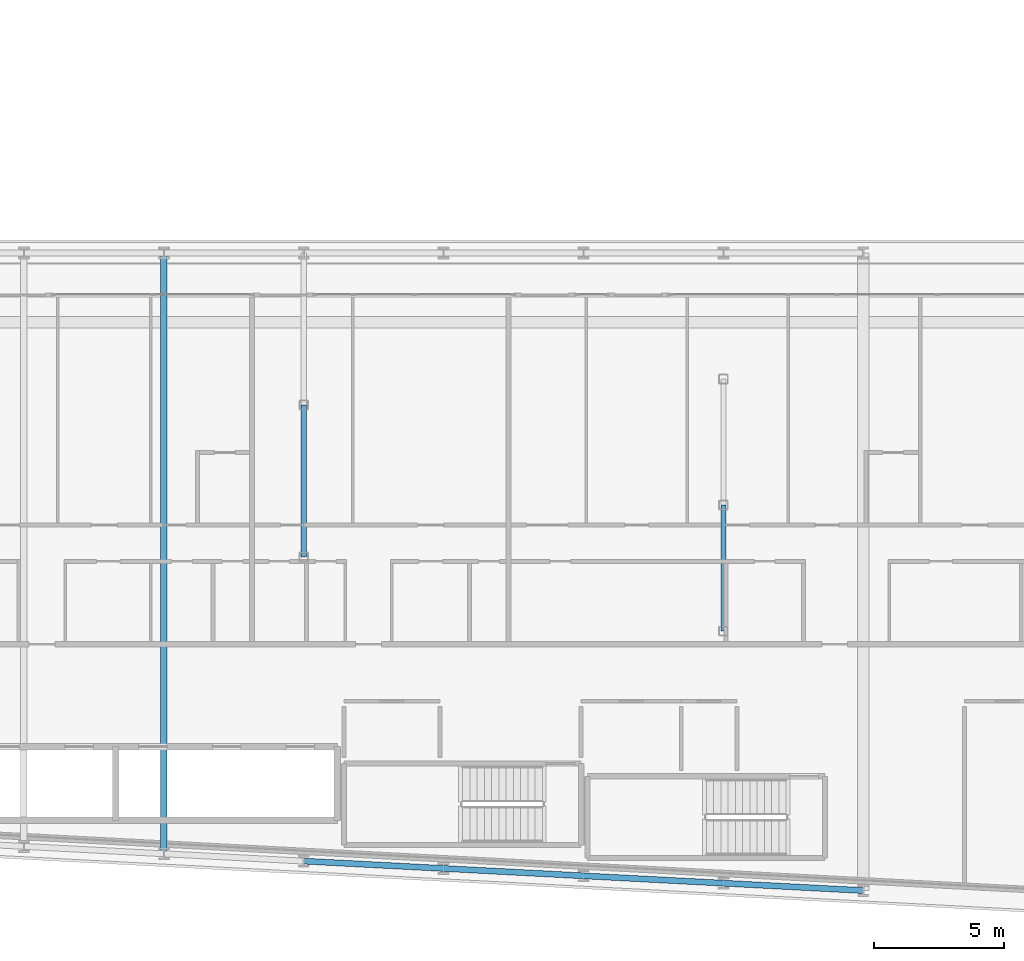
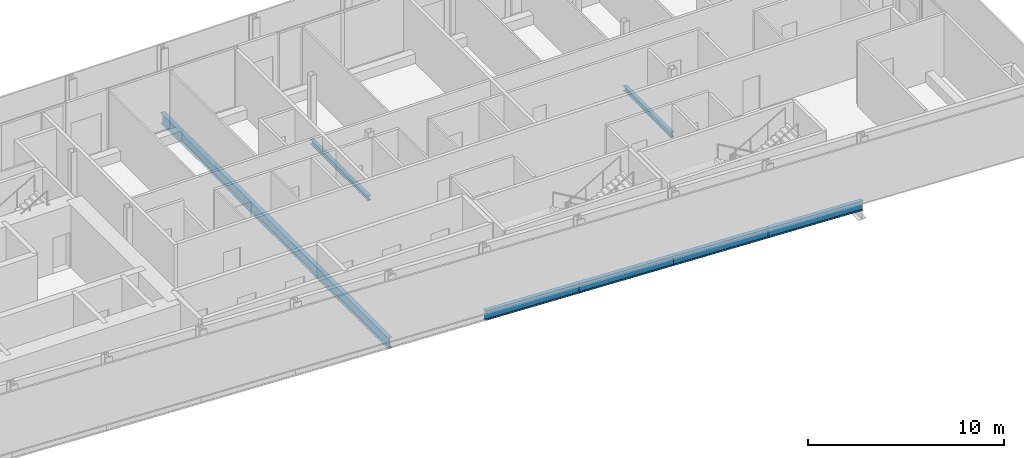
# One storey, part 5 of 27: 7 beams.
"""IFC4 building model written with IfcOpenShell, lengths in metres."""

import ifcopenshell
import ifcopenshell.guid

model = None  # the IFC model being written
_history = None  # IfcOwnerHistory: only IFC2X3 demands one
_inside = {}  # id of a spatial element -> (the spatial element, [elements in it])
_under = {}  # id of a project, library or spatial element -> (it, [spatial elements below it])
_declared = {}  # id of a project -> (the project, [libraries it declares])
_typed = {}  # id of a type object -> (the type object, [elements of that type])
_made_of = {}  # id of a material, layer set ... -> (it, [elements and type objects made of it])


def new_model(schema):
    """Start an empty IFC model of exactly this schema.

    Asked for "IFC4X3", IfcOpenShell would pick the latest addendum, in which some entities
    have other attributes; the version numbers below select the first issue.
    IFC2X3 requires an IfcOwnerHistory on every rooted entity: one is made here for all.
    """
    global model, _history
    if schema == "IFC4X3":
        model = ifcopenshell.file(schema_version=(4, 3, 0, 0))
    else:
        model = ifcopenshell.file(schema=schema)
    _inside.clear()
    _under.clear()
    _declared.clear()
    _typed.clear()
    _made_of.clear()
    _history = None
    if model.schema == "IFC2X3":
        org = make("IfcOrganization", Name="unknown")
        user = make(
            "IfcPersonAndOrganization",
            ThePerson=make("IfcPerson", FamilyName="unknown"),
            TheOrganization=org,
        )
        app = make(
            "IfcApplication",
            ApplicationDeveloper=org,
            Version="unknown",
            ApplicationFullName="unknown",
            ApplicationIdentifier="unknown",
        )
        _history = make(
            "IfcOwnerHistory",
            OwningUser=user,
            OwningApplication=app,
            ChangeAction="ADDED",
            CreationDate=0,
        )
    return model


def make(cls, **values):
    """One entity of the class cls with the attributes given. An attribute that is None is left unset."""
    return model.create_entity(
        cls, **{name: value for name, value in values.items() if value is not None}
    )


def rooted(cls, **values):
    """An entity with a GlobalId (a new one), such as an element, a storey or a relation."""
    return make(cls, GlobalId=ifcopenshell.guid.new(), OwnerHistory=_history, **values)


def si_unit(unit_type, name, prefix=None):
    """IfcSIUnit, for example si_unit("LENGTHUNIT", "METRE", prefix="MILLI")."""
    return make("IfcSIUnit", UnitType=unit_type, Prefix=prefix, Name=name)


def assignment(units):
    """IfcUnitAssignment: the units of a project."""
    return None if units is None else make("IfcUnitAssignment", Units=units)


def point(xyz):
    """IfcCartesianPoint."""
    return None if xyz is None else make("IfcCartesianPoint", Coordinates=xyz)


def direction(xyz):
    """IfcDirection."""
    return None if xyz is None else make("IfcDirection", DirectionRatios=xyz)


def frame(location, z_axis=None, x_axis=None):
    """IfcAxis2Placement3D, a coordinate frame: its origin and axes. An axis left out is left unset."""
    return make(
        "IfcAxis2Placement3D",
        Location=point(location),
        Axis=direction(z_axis),
        RefDirection=direction(x_axis),
    )


def frame_2d(location, x_axis=None):
    """IfcAxis2Placement2D, a coordinate frame in the plane: its origin and x axis."""
    return make(
        "IfcAxis2Placement2D", Location=point(location), RefDirection=direction(x_axis)
    )


def origin():
    """The frame at (0, 0, 0) with its axes left unset."""
    return frame((0.0, 0.0, 0.0))


def origin_2d():
    """The frame at (0, 0) in the plane with its x axis left unset."""
    return frame_2d((0.0, 0.0))


def place(relative_to, where):
    """IfcLocalPlacement: puts the frame where relative to a parent placement (None: the world)."""
    return make(
        "IfcLocalPlacement", PlacementRelTo=relative_to, RelativePlacement=where
    )


def context(
    kind, dimensions, precision=None, world=None, true_north=None, identifier=None
):
    """IfcGeometricRepresentationContext, for example the 3D "Model" context."""
    return make(
        "IfcGeometricRepresentationContext",
        ContextIdentifier=identifier,
        ContextType=kind,
        CoordinateSpaceDimension=dimensions,
        Precision=precision,
        WorldCoordinateSystem=world,
        TrueNorth=true_north,
    )


def subcontext(parent, identifier, kind, view, scale=None):
    """IfcGeometricRepresentationSubContext, for example "Body" below "Model"."""
    return make(
        "IfcGeometricRepresentationSubContext",
        ContextIdentifier=identifier,
        ContextType=kind,
        ParentContext=parent,
        TargetScale=scale,
        TargetView=view,
    )


def project(units=None, contexts=None):
    """IfcProject with its units and contexts."""
    return rooted(
        "IfcProject",
        Name="project",
        RepresentationContexts=contexts,
        UnitsInContext=assignment(units),
    )


def spatial(cls, under=None, at=None, **own):
    """A site, building, storey or space (cls), placed at a placement, below another one or the project."""
    s = rooted(cls, ObjectPlacement=at, **own)
    if under is not None:
        _under.setdefault(under.id(), (under, []))[1].append(s)
    return s


def profile(cls, at=None, kind="AREA", **sizes):
    """A parametric profile (cls). Its sizes go by their IFC names, for example OverallWidth=200.0."""
    return make(cls, ProfileType=kind, Position=at, **sizes)


def i_section(**sizes):
    """IfcIShapeProfileDef."""
    return profile("IfcIShapeProfileDef", **sizes)


def extrude(swept, where, along, depth):
    """IfcExtrudedAreaSolid: the profile swept, set in the frame where, extruded along a direction by depth."""
    return make(
        "IfcExtrudedAreaSolid",
        SweptArea=swept,
        Position=where,
        ExtrudedDirection=direction(along),
        Depth=depth,
    )


def shape(context_of_items, identifier, shape_type, items):
    """IfcShapeRepresentation: the items that make up one representation, for example the "Body"."""
    return make(
        "IfcShapeRepresentation",
        ContextOfItems=context_of_items,
        RepresentationIdentifier=identifier,
        RepresentationType=shape_type,
        Items=items,
    )


def material(Name=None, Category=None):
    """IfcMaterial."""
    return make("IfcMaterial", Name=Name, Category=Category)


def material_profile(
    of_material, cross_section, Name=None, Category=None, Priority=None
):
    """IfcMaterialProfile: a cross section and its material."""
    return make(
        "IfcMaterialProfile",
        Name=Name,
        Material=of_material,
        Profile=cross_section,
        Priority=Priority,
        Category=Category,
    )


def profile_set(profiles, Name=None, composite=None):
    """IfcMaterialProfileSet."""
    return make(
        "IfcMaterialProfileSet",
        Name=Name,
        MaterialProfiles=profiles,
        CompositeProfile=composite,
    )


def made_of(thing, what):
    """Note that an element or type object is made of a material, layer set ...; save() writes the relation."""
    if what is not None:
        _made_of.setdefault(what.id(), (what, []))[1].append(thing)
    return thing


def type_object(cls, material=None, **own):
    """A type object (cls), such as IfcWallType, which elements share."""
    return made_of(rooted(cls, **own), material)


def element(
    cls,
    number,
    at=None,
    inside=None,
    cuts=None,
    type_object=None,
    material=None,
    context=None,
    identifier="Body",
    shape_type=None,
    held_by="IfcProductDefinitionShape",
    body=None,
    shapes=None,
    **own,
):
    """One element of the class cls, such as IfcWall. Its Tag is "e" and its number.

    at: its placement. inside: the storey or other place that contains it. cuts: it is an
    opening in that element (IfcRelVoidsElement). A single representation is given by context,
    identifier, shape_type and body (its items); several are given by shapes. held_by: the class
    of the entity that holds the representations. save() writes the other relations.
    """
    e = rooted(cls, Tag="e%d" % number, ObjectPlacement=at, **own)
    if body is not None:
        shapes = [shape(context, identifier, shape_type, body)]
    if shapes is not None:
        e.Representation = make(held_by, Representations=shapes)
    if inside is not None:
        _inside.setdefault(inside.id(), (inside, []))[1].append(e)
    if cuts is not None:
        rooted(
            "IfcRelVoidsElement", RelatingBuildingElement=cuts, RelatedOpeningElement=e
        )
    if type_object is not None:
        _typed.setdefault(type_object.id(), (type_object, []))[1].append(e)
    return made_of(e, material)


def aggregate(whole, parts):
    """IfcRelAggregates: a whole, such as a stair, and the parts it consists of."""
    return rooted("IfcRelAggregates", RelatingObject=whole, RelatedObjects=parts)


def save(model, path):
    """Write the relations noted so far, then the file.

    IfcRelAggregates (storeys below a building ...), IfcRelContainedInSpatialStructure (elements
    in a storey), IfcRelDefinesByType, IfcRelAssociatesMaterial and IfcRelDeclares: one each for
    every whole, place, type object, material and project.
    """
    for whole, parts in _under.values():
        aggregate(whole, parts)
    for where, things in _inside.values():
        rooted(
            "IfcRelContainedInSpatialStructure",
            RelatedElements=things,
            RelatingStructure=where,
        )
    for kind, things in _typed.values():
        rooted("IfcRelDefinesByType", RelatedObjects=things, RelatingType=kind)
    for what, things in _made_of.values():
        rooted("IfcRelAssociatesMaterial", RelatedObjects=things, RelatingMaterial=what)
    for by, libraries in _declared.values():
        rooted("IfcRelDeclares", RelatingContext=by, RelatedDefinitions=libraries)
    model.write(path)


model = new_model("IFC4")

# Units and contexts
model_context = context("Model", 3, precision=1e-05, world=origin(), true_north=direction((0.0, 1.0)))
body_context = subcontext(model_context, "Body", "Model", "MODEL_VIEW")
ifc_project = project(units=[si_unit("LENGTHUNIT", "METRE"), si_unit("AREAUNIT", "SQUARE_METRE"), si_unit("VOLUMEUNIT", "CUBIC_METRE"), si_unit("PLANEANGLEUNIT", "RADIAN"), si_unit("MASSUNIT", "GRAM", prefix="KILO")], contexts=[model_context])

# Site, building, storey
site_placement = place(None, origin())
site = spatial("IfcSite", under=ifc_project, at=site_placement, CompositionType="ELEMENT")
building_placement = place(site_placement, origin())
building = spatial("IfcBuilding", under=site, at=building_placement, Name="Kheshtan School and Residences Tower", CompositionType="ELEMENT")
storey_placement = place(building_placement, frame((0.0, 0.0, 98.0)))
storey = spatial("IfcBuildingStorey", under=building, at=storey_placement, Name="L22", CompositionType="ELEMENT", Elevation=98.0)

# Beams
ifc_material = material(Name="Steel ASTM A992 Grade 50", Category="steel")
ifc_material_profile_1 = material_profile(ifc_material, i_section(OverallWidth=0.202880859375, OverallDepth=0.302978515625, WebThickness=0.007568359375, FlangeThickness=0.01318359375, FilletRadius=0.009033203125, at=origin_2d()), Name="W310x60")
ifc_profile_set_1 = profile_set([ifc_material_profile_1], Name="Steel ASTM A992 Grade 50")
beam_type_1 = type_object("IfcBeamType", Name="Beam FB1 W310x60 ASTM A992 Grade 50", PredefinedType="BEAM", material=ifc_profile_set_1)
beam_1_placement = place(storey_placement, frame((85.39990234375, 31.0048828125, -0.301513671875), z_axis=(0.0, 1.0, 0.0), x_axis=(-1.0, 0.0, 0.0)))
element("IfcBeam", 1, at=beam_1_placement, inside=storey, type_object=beam_type_1, Name="Floor beam IC", PredefinedType="BEAM", context=body_context, shape_type="SweptSolid", body=[
    extrude(i_section(OverallWidth=0.202880859375, OverallDepth=0.302978515625, WebThickness=0.007568359375, FlangeThickness=0.01318359375, FilletRadius=0.009033203125, at=origin_2d()), origin(), (0.0, 0.0, 1.0), 4.865234375),
])
beam_2_placement = place(storey_placement, frame((69.199951171875, 33.863037109375, -0.301513671875), z_axis=(0.0, 1.0, 0.0), x_axis=(-1.0, 0.0, 0.0)))
element("IfcBeam", 2, at=beam_2_placement, inside=storey, type_object=beam_type_1, Name="Floor beam IC", PredefinedType="BEAM", context=body_context, shape_type="SweptSolid", body=[
    extrude(i_section(OverallWidth=0.202880859375, OverallDepth=0.302978515625, WebThickness=0.007568359375, FlangeThickness=0.01318359375, FilletRadius=0.009033203125, at=origin_2d()), origin(), (0.0, 0.0, 1.0), 5.868896484375),
])
ifc_material_profile_2 = material_profile(ifc_material, i_section(OverallWidth=0.2529296875, OverallDepth=0.677978515625, WebThickness=0.01171875, FlangeThickness=0.016357421875, FilletRadius=0.0146484375, at=origin_2d()), Name="W690x125")
ifc_profile_set_2 = profile_set([ifc_material_profile_2], Name="Steel ASTM A992 Grade 50")
beam_type_2 = type_object("IfcBeamType", Name="Beam FB6 W690x125 ASTM A992 Grade 50", PredefinedType="BEAM", material=ifc_profile_set_2)
beam_3_placement = place(storey_placement, frame((63.800048828125, 22.410888671875, -0.489013671875), z_axis=(0.0, 1.0, 0.0), x_axis=(-1.0, 0.0, 0.0)))
element("IfcBeam", 3, at=beam_3_placement, inside=storey, type_object=beam_type_2, Name="Floor beam C016", PredefinedType="BEAM", context=body_context, shape_type="SweptSolid", body=[
    extrude(i_section(OverallWidth=0.2529296875, OverallDepth=0.677978515625, WebThickness=0.01171875, FlangeThickness=0.016357421875, FilletRadius=0.0146484375, at=origin_2d()), origin(), (0.0, 0.0, 1.0), 23.189208984375),
])
ifc_material_profile_3 = material_profile(ifc_material, i_section(OverallWidth=0.22802734375, OverallDepth=0.60302734375, WebThickness=0.010498046875, FlangeThickness=0.014892578125, FilletRadius=0.013427734375, at=origin_2d()), Name="W610x101")
ifc_profile_set_3 = profile_set([ifc_material_profile_3], Name="Steel ASTM A992 Grade 50")
beam_type_3 = type_object("IfcBeamType", Name="Beam SP2 W610x101 ASTM A992 Grade 50", PredefinedType="BEAM", material=ifc_profile_set_3)
beam_4_placement = place(storey_placement, frame((90.800048828125, 20.989990234375, -0.451416015625), z_axis=(-0.998620571751, 0.05250670125, 0.0), x_axis=(-0.05250670125, -0.998620571751, 0.0)))
element("IfcBeam", 4, at=beam_4_placement, inside=storey, type_object=beam_type_3, Name="Spandrel beam C006-C008", PredefinedType="BEAM", context=body_context, shape_type="SweptSolid", body=[
    extrude(i_section(OverallWidth=0.22802734375, OverallDepth=0.60302734375, WebThickness=0.010498046875, FlangeThickness=0.014892578125, FilletRadius=0.013427734375, at=origin_2d()), origin(), (0.0, 0.0, 1.0), 5.40771484375),
])
for number, where, z_axis, x_axis, name in (
    (5, (85.39990234375, 21.27392578125, -0.451416015625), (-0.998618078766, 0.052554093665, 0.0), (-0.052554093665, -0.998618078766, 0.0), "Spandrel beam C008-C012"),
    (6, (80.0, 21.55810546875, -0.451416015625), (-0.998610961136, 0.052689166816, 0.0), (-0.052689166816, -0.998610961136, 0.0), "Spandrel beam C012-C013"),
):
    element("IfcBeam", number, at=place(storey_placement, frame(where, z_axis=z_axis, x_axis=x_axis)), inside=storey, type_object=beam_type_3, Name=name, PredefinedType="BEAM", context=body_context, shape_type="SweptSolid", body=[
        extrude(i_section(OverallWidth=0.22802734375, OverallDepth=0.60302734375, WebThickness=0.010498046875, FlangeThickness=0.014892578125, FilletRadius=0.013427734375, at=origin_2d()), origin(), (0.0, 0.0, 1.0), 5.407470703125),
    ])
beam_5_placement = place(storey_placement, frame((74.60009765625, 21.843017578125, -0.451416015625), z_axis=(-0.998620571751, 0.05250670125, 0.0), x_axis=(-0.05250670125, -0.998620571751, 0.0)))
element("IfcBeam", 7, at=beam_5_placement, inside=storey, type_object=beam_type_3, Name="Spandrel beam C013-C014", PredefinedType="BEAM", context=body_context, shape_type="SweptSolid", body=[
    extrude(i_section(OverallWidth=0.22802734375, OverallDepth=0.60302734375, WebThickness=0.010498046875, FlangeThickness=0.014892578125, FilletRadius=0.013427734375, at=origin_2d()), origin(), (0.0, 0.0, 1.0), 5.40771484375),
])

save(model, "model.ifc")
